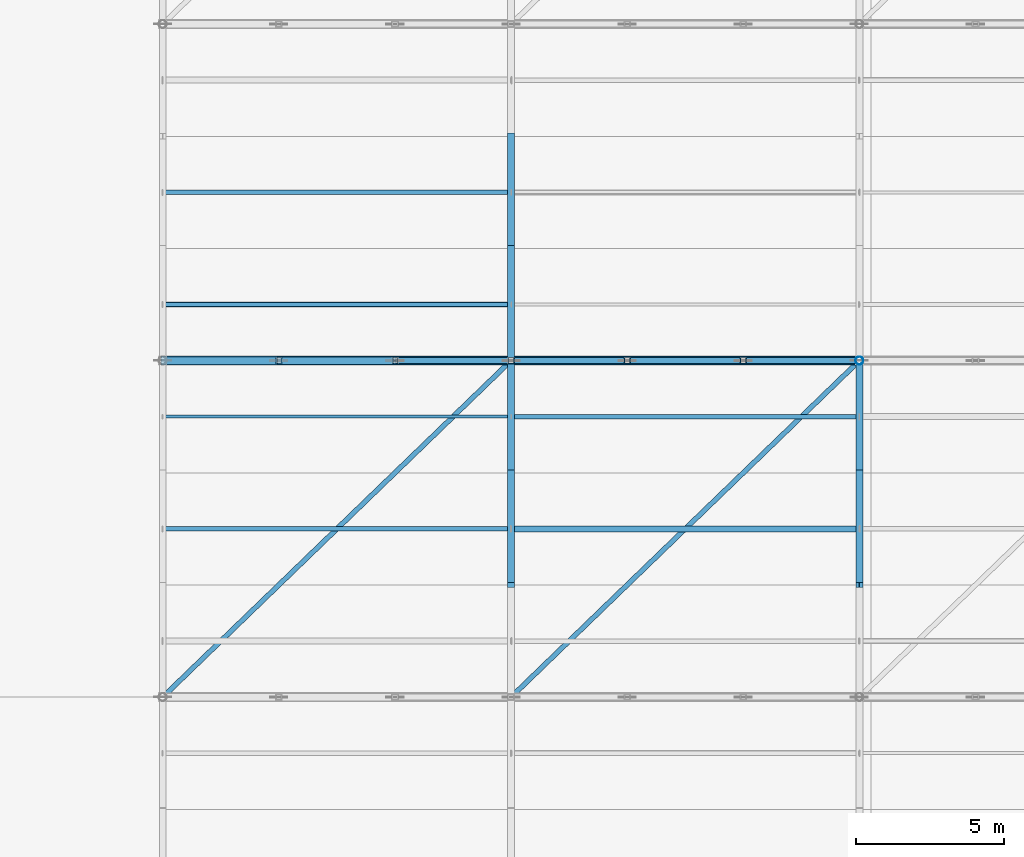
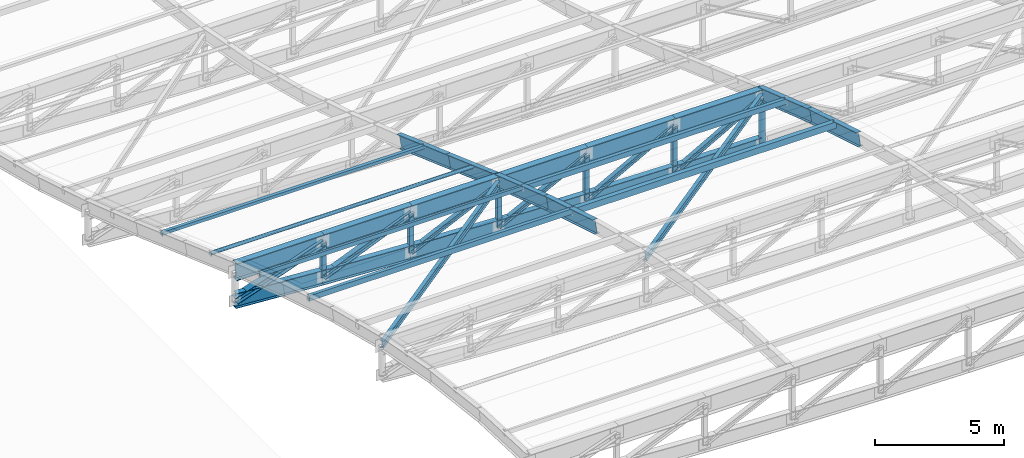
# One storey, part 9 of 65: 26 members, 12 beams.
"""IFC4 building model written with IfcOpenShell, lengths in metres."""

from ifc_helpers import new_model, si_unit, direction, frame, origin, origin_2d, place, context, subcontext, project, spatial, hollow_rectangle, hollow_circle, i_section, extrude, material, material_profile, profile_set, type_object, element, save


model = new_model("IFC4")

# Units and contexts
model_context = context("Model", 3, precision=1e-05, world=origin(), true_north=direction((0.0, 1.0)))
body_context = subcontext(model_context, "Body", "Model", "MODEL_VIEW")
ifc_project = project(units=[si_unit("LENGTHUNIT", "METRE"), si_unit("AREAUNIT", "SQUARE_METRE"), si_unit("VOLUMEUNIT", "CUBIC_METRE"), si_unit("PLANEANGLEUNIT", "RADIAN"), si_unit("MASSUNIT", "GRAM", prefix="KILO"), si_unit("POWERUNIT", "WATT"), si_unit("THERMODYNAMICTEMPERATUREUNIT", "KELVIN")], contexts=[model_context])

# Site, building, storey
site_placement = place(None, origin())
site = spatial("IfcSite", under=ifc_project, at=site_placement, CompositionType="ELEMENT")
building_placement = place(site_placement, origin())
building = spatial("IfcBuilding", under=site, at=building_placement, Name="Kelmbourne Parkland Aquatics Centre", CompositionType="ELEMENT")
storey_placement = place(building_placement, frame((0.0, 0.0, 27.0)))
storey = spatial("IfcBuildingStorey", under=building, at=storey_placement, Name="RF", CompositionType="ELEMENT", Elevation=27.0)

# Members
ifc_material_1 = material(Name="Structural steel AS/NZS 3679.1 Grade 300", Category="steel")
ifc_material_profile_1 = material_profile(ifc_material_1, i_section(OverallWidth=0.166015625, OverallDepth=0.306884765625, WebThickness=0.006591796875, FlangeThickness=0.01171875, at=origin_2d()), Name="310UB46.2")
ifc_profile_set_1 = profile_set([ifc_material_profile_1], Name="Structural steel AS/NZS 3679.1 Grade 300")
member_type_1 = type_object("IfcMemberType", Name="MB-BR-I", PredefinedType="BRACE", material=ifc_profile_set_1)
member_1_placement = place(storey_placement, frame((128.007080078125, 12.206787109375, -2.15283203125), z_axis=(0.704125965471, 0.680263716284, -0.203587575889), x_axis=(-0.694815416631, 0.719188109476, 0.0)))
element("IfcMember", 1, at=member_1_placement, inside=storey, type_object=member_type_1, Name="Roof wind diagonal brace B2-03", PredefinedType="BRACE", context=body_context, shape_type="SweptSolid", body=[
    extrude(i_section(OverallWidth=0.166015625, OverallDepth=0.306884765625, WebThickness=0.006591796875, FlangeThickness=0.01171875, at=origin_2d()), origin(), (0.0, 0.0, 1.0), 16.73828125),
])
member_2_placement = place(storey_placement, frame((139.806884765625, 12.206787109375, -2.15283203125), z_axis=(0.704133319578, 0.680256729882, -0.203585485017), x_axis=(-0.694807972231, 0.719195301517, 0.0)))
element("IfcMember", 2, at=member_2_placement, inside=storey, type_object=member_type_1, Name="Roof wind diagonal brace B2-36", PredefinedType="BRACE", context=body_context, shape_type="SweptSolid", body=[
    extrude(i_section(OverallWidth=0.166015625, OverallDepth=0.306884765625, WebThickness=0.006591796875, FlangeThickness=0.01171875, at=origin_2d()), origin(), (0.0, 0.0, 1.0), 16.738525390625),
])
ifc_material_profile_2 = material_profile(ifc_material_1, i_section(OverallWidth=0.306884765625, OverallDepth=0.31494140625, WebThickness=0.011962890625, FlangeThickness=0.018798828125, at=origin_2d()), Name="310UC118")
ifc_profile_set_2 = profile_set([ifc_material_profile_2], Name="Structural steel AS/NZS 3679.1 Grade 300")
member_type_2 = type_object("IfcMemberType", Name="MB-DIAG1", PredefinedType="STRUT", material=ifc_profile_set_2)
member_3_placement = place(storey_placement, frame((128.0, 23.60009765625, -6.942626953125), z_axis=(0.94359966112, 0.0, 0.331088627913), x_axis=(0.0, 1.0, 0.0)))
element("IfcMember", 3, at=member_3_placement, inside=storey, type_object=member_type_2, Name="Roof truss R02 web diagonal 1", PredefinedType="STRUT", context=body_context, shape_type="SweptSolid", body=[
    extrude(i_section(OverallWidth=0.306884765625, OverallDepth=0.31494140625, WebThickness=0.011962890625, FlangeThickness=0.018798828125, at=origin_2d()), origin(), (0.0, 0.0, 1.0), 4.16845703125),
])
ifc_material_profile_3 = material_profile(ifc_material_1, i_section(OverallWidth=0.256103515625, OverallDepth=0.260009765625, WebThickness=0.010498046875, FlangeThickness=0.017333984375, at=origin_2d()), Name="250UC89.5")
ifc_profile_set_3 = profile_set([ifc_material_profile_3], Name="Structural steel AS/NZS 3679.1 Grade 300")
member_type_3 = type_object("IfcMemberType", Name="MB-DIAG2", PredefinedType="STRUT", material=ifc_profile_set_3)
member_4_placement = place(storey_placement, frame((131.933349609375, 23.60009765625, -7.202392578125), z_axis=(0.922993848486, 0.0, 0.384814703015), x_axis=(0.0, 1.0, 0.0)))
element("IfcMember", 4, at=member_4_placement, inside=storey, type_object=member_type_3, Name="Roof truss R02 web diagonal 2", PredefinedType="STRUT", context=body_context, shape_type="SweptSolid", body=[
    extrude(i_section(OverallWidth=0.256103515625, OverallDepth=0.260009765625, WebThickness=0.010498046875, FlangeThickness=0.017333984375, at=origin_2d()), origin(), (0.0, 0.0, 1.0), 4.261474609375),
])
ifc_material_profile_4 = material_profile(ifc_material_1, i_section(OverallWidth=0.205078125, OverallDepth=0.2099609375, WebThickness=0.00927734375, FlangeThickness=0.01416015625, at=origin_2d()), Name="200UC59.5")
ifc_profile_set_4 = profile_set([ifc_material_profile_4], Name="Structural steel AS/NZS 3679.1 Grade 300")
member_type_4 = type_object("IfcMemberType", Name="MB-DIAG3", PredefinedType="STRUT", material=ifc_profile_set_4)
member_5_placement = place(storey_placement, frame((135.86669921875, 23.60009765625, -7.414794921875), z_axis=(0.904702860314, 0.0, 0.426043113475), x_axis=(0.0, 1.0, 0.0)))
element("IfcMember", 5, at=member_5_placement, inside=storey, type_object=member_type_4, Name="Roof truss R02 web diagonal 3", PredefinedType="STRUT", context=body_context, shape_type="SweptSolid", body=[
    extrude(i_section(OverallWidth=0.205078125, OverallDepth=0.2099609375, WebThickness=0.00927734375, FlangeThickness=0.01416015625, at=origin_2d()), origin(), (0.0, 0.0, 1.0), 4.34765625),
])
member_6_placement = place(storey_placement, frame((139.800048828125, 23.60009765625, -7.580078125), z_axis=(0.889773759549, 0.0, 0.456401858911), x_axis=(0.0, 1.0, 0.0)))
element("IfcMember", 6, at=member_6_placement, inside=storey, type_object=member_type_4, Name="Roof truss R02 web diagonal 4", PredefinedType="STRUT", context=body_context, shape_type="SweptSolid", body=[
    extrude(i_section(OverallWidth=0.205078125, OverallDepth=0.2099609375, WebThickness=0.00927734375, FlangeThickness=0.01416015625, at=origin_2d()), origin(), (0.0, 0.0, 1.0), 4.420654296875),
])
member_7_placement = place(storey_placement, frame((143.7333984375, 23.60009765625, -7.6982421875), z_axis=(0.87880703159, 0.0, 0.477177326817), x_axis=(0.0, 1.0, 0.0)))
element("IfcMember", 7, at=member_7_placement, inside=storey, type_object=member_type_4, Name="Roof truss R02 web diagonal 5", PredefinedType="STRUT", context=body_context, shape_type="SweptSolid", body=[
    extrude(i_section(OverallWidth=0.205078125, OverallDepth=0.2099609375, WebThickness=0.00927734375, FlangeThickness=0.01416015625, at=origin_2d()), origin(), (0.0, 0.0, 1.0), 4.475830078125),
])
member_8_placement = place(storey_placement, frame((147.666748046875, 23.60009765625, -7.76904296875), z_axis=(0.872140224212, 0.0, 0.489255995682), x_axis=(0.0, 1.0, 0.0)))
element("IfcMember", 8, at=member_8_placement, inside=storey, type_object=member_type_4, Name="Roof truss R02 web diagonal 6", PredefinedType="STRUT", context=body_context, shape_type="SweptSolid", body=[
    extrude(i_section(OverallWidth=0.205078125, OverallDepth=0.2099609375, WebThickness=0.00927734375, FlangeThickness=0.01416015625, at=origin_2d()), origin(), (0.0, 0.0, 1.0), 4.510009765625),
])
ifc_material_profile_5 = material_profile(ifc_material_1, i_section(OverallWidth=0.22900390625, OverallDepth=0.612060546875, WebThickness=0.011962890625, FlangeThickness=0.01953125, at=origin_2d()), Name="610UB125")
ifc_profile_set_5 = profile_set([ifc_material_profile_5], Name="Structural steel AS/NZS 3679.1 Grade 300")
member_type_5 = type_object("IfcMemberType", Name="MB-LRIB", PredefinedType="STRUT", material=ifc_profile_set_5)
member_9_placement = place(storey_placement, frame((139.800048828125, 16.0, -2.99658203125), z_axis=(0.0, 0.956659736605, -0.291208084294), x_axis=(-1.0, 0.0, 0.0)))
element("IfcMember", 9, at=member_9_placement, inside=storey, type_object=member_type_5, Name="Longitudinal wave rib K3 strip 05", PredefinedType="STRUT", context=body_context, shape_type="SweptSolid", body=[
    extrude(i_section(OverallWidth=0.22900390625, OverallDepth=0.612060546875, WebThickness=0.011962890625, FlangeThickness=0.01953125, at=origin_2d()), origin(), (0.0, 0.0, 1.0), 3.97216796875),
])
member_10_placement = place(storey_placement, frame((139.800048828125, 19.800048828125, -4.1533203125), z_axis=(0.0, 0.946978369756, -0.321297319029), x_axis=(-1.0, 0.0, 0.0)))
element("IfcMember", 10, at=member_10_placement, inside=storey, type_object=member_type_5, Name="Longitudinal wave rib K3 strip 06", PredefinedType="STRUT", context=body_context, shape_type="SweptSolid", body=[
    extrude(i_section(OverallWidth=0.22900390625, OverallDepth=0.612060546875, WebThickness=0.011962890625, FlangeThickness=0.01953125, at=origin_2d()), origin(), (0.0, 0.0, 1.0), 4.0126953125),
])
member_11_placement = place(storey_placement, frame((139.800048828125, 23.60009765625, -5.442626953125), z_axis=(0.0, 0.941714530219, -0.336413055), x_axis=(-1.0, 0.0, 0.0)))
element("IfcMember", 11, at=member_11_placement, inside=storey, type_object=member_type_5, Name="Longitudinal wave rib K3 strip 07", PredefinedType="STRUT", context=body_context, shape_type="SweptSolid", body=[
    extrude(i_section(OverallWidth=0.22900390625, OverallDepth=0.612060546875, WebThickness=0.011962890625, FlangeThickness=0.01953125, at=origin_2d()), origin(), (0.0, 0.0, 1.0), 4.034912109375),
])
member_12_placement = place(storey_placement, frame((139.800048828125, 27.39990234375, -6.800048828125), z_axis=(0.0, 0.941721377318, -0.336393887433), x_axis=(-1.0, 0.0, 0.0)))
element("IfcMember", 12, at=member_12_placement, inside=storey, type_object=member_type_5, Name="Longitudinal wave rib K3 strip 08", PredefinedType="STRUT", context=body_context, shape_type="SweptSolid", body=[
    extrude(i_section(OverallWidth=0.22900390625, OverallDepth=0.612060546875, WebThickness=0.011962890625, FlangeThickness=0.01953125, at=origin_2d()), origin(), (0.0, 0.0, 1.0), 4.03515625),
])
member_13_placement = place(storey_placement, frame((151.60009765625, 16.0, -2.99658203125), z_axis=(0.0, 0.956659736605, -0.291208084294), x_axis=(-1.0, 0.0, 0.0)))
element("IfcMember", 13, at=member_13_placement, inside=storey, type_object=member_type_5, Name="Longitudinal wave rib K6 strip 05", PredefinedType="STRUT", context=body_context, shape_type="SweptSolid", body=[
    extrude(i_section(OverallWidth=0.22900390625, OverallDepth=0.612060546875, WebThickness=0.011962890625, FlangeThickness=0.01953125, at=origin_2d()), origin(), (0.0, 0.0, 1.0), 3.97216796875),
])
member_14_placement = place(storey_placement, frame((151.60009765625, 19.800048828125, -4.1533203125), z_axis=(0.0, 0.946978369756, -0.321297319029), x_axis=(-1.0, 0.0, 0.0)))
element("IfcMember", 14, at=member_14_placement, inside=storey, type_object=member_type_5, Name="Longitudinal wave rib K6 strip 06", PredefinedType="STRUT", context=body_context, shape_type="SweptSolid", body=[
    extrude(i_section(OverallWidth=0.22900390625, OverallDepth=0.612060546875, WebThickness=0.011962890625, FlangeThickness=0.01953125, at=origin_2d()), origin(), (0.0, 0.0, 1.0), 4.0126953125),
])
ifc_material_2 = material(Name="Cold-formed hollow steel AS/NZS 1163 C350L0", Category="steel")
ifc_material_profile_6 = material_profile(ifc_material_2, hollow_rectangle(XDim=0.199951171875, YDim=0.199951171875, WallThickness=0.010009765625, at=origin_2d()), Name="SHS 200x200x10.0")
ifc_profile_set_6 = profile_set([ifc_material_profile_6], Name="Cold-formed hollow steel AS/NZS 1163 C350L0")
member_type_6 = type_object("IfcMemberType", Name="MB-POST1", PredefinedType="STRUT", material=ifc_profile_set_6)
member_15_placement = place(storey_placement, frame((131.933349609375, 23.60009765625, -7.202392578125), z_axis=(0.0, 0.0, 1.0), x_axis=(1.0, 0.0, 0.0)))
element("IfcMember", 15, at=member_15_placement, inside=storey, type_object=member_type_6, Name="Roof truss R02 vertical post 1", PredefinedType="STRUT", context=body_context, shape_type="SweptSolid", body=[
    extrude(hollow_rectangle(XDim=0.199951171875, YDim=0.199951171875, WallThickness=0.010009765625, at=origin_2d()), origin(), (0.0, 0.0, 1.0), 1.639892578125),
])
member_16_placement = place(storey_placement, frame((135.86669921875, 23.60009765625, -7.414794921875), z_axis=(0.0, 0.0, 1.0), x_axis=(1.0, 0.0, 0.0)))
element("IfcMember", 16, at=member_16_placement, inside=storey, type_object=member_type_6, Name="Roof truss R02 vertical post 2", PredefinedType="STRUT", context=body_context, shape_type="SweptSolid", body=[
    extrude(hollow_rectangle(XDim=0.199951171875, YDim=0.199951171875, WallThickness=0.010009765625, at=origin_2d()), origin(), (0.0, 0.0, 1.0), 1.852294921875),
])
member_17_placement = place(storey_placement, frame((139.800048828125, 23.60009765625, -7.580078125), z_axis=(0.0, 0.0, 1.0), x_axis=(1.0, 0.0, 0.0)))
element("IfcMember", 17, at=member_17_placement, inside=storey, type_object=member_type_6, Name="Roof truss R02 vertical post 3", PredefinedType="STRUT", context=body_context, shape_type="SweptSolid", body=[
    extrude(hollow_rectangle(XDim=0.199951171875, YDim=0.199951171875, WallThickness=0.010009765625, at=origin_2d()), origin(), (0.0, 0.0, 1.0), 2.017578125),
])
member_18_placement = place(storey_placement, frame((143.7333984375, 23.60009765625, -7.6982421875), z_axis=(0.0, 0.0, 1.0), x_axis=(1.0, 0.0, 0.0)))
element("IfcMember", 18, at=member_18_placement, inside=storey, type_object=member_type_6, Name="Roof truss R02 vertical post 4", PredefinedType="STRUT", context=body_context, shape_type="SweptSolid", body=[
    extrude(hollow_rectangle(XDim=0.199951171875, YDim=0.199951171875, WallThickness=0.010009765625, at=origin_2d()), origin(), (0.0, 0.0, 1.0), 2.1357421875),
])
member_19_placement = place(storey_placement, frame((147.666748046875, 23.60009765625, -7.76904296875), z_axis=(0.0, 0.0, 1.0), x_axis=(1.0, 0.0, 0.0)))
element("IfcMember", 19, at=member_19_placement, inside=storey, type_object=member_type_6, Name="Roof truss R02 vertical post 5", PredefinedType="STRUT", context=body_context, shape_type="SweptSolid", body=[
    extrude(hollow_rectangle(XDim=0.199951171875, YDim=0.199951171875, WallThickness=0.010009765625, at=origin_2d()), origin(), (0.0, 0.0, 1.0), 2.20654296875),
])
ifc_material_profile_7 = material_profile(ifc_material_2, hollow_circle(Radius=0.136474609375, WallThickness=0.00927734375, at=origin_2d()), Name="CHS 273.1x9.3")
ifc_profile_set_7 = profile_set([ifc_material_profile_7], Name="Cold-formed hollow steel AS/NZS 1163 C350L0")
member_type_7 = type_object("IfcMemberType", Name="MB-POST2", PredefinedType="STRUT", material=ifc_profile_set_7)
member_20_placement = place(storey_placement, frame((151.60009765625, 23.60009765625, -7.79248046875), z_axis=(0.0, 0.0, 1.0), x_axis=(1.0, 0.0, 0.0)))
element("IfcMember", 20, at=member_20_placement, inside=storey, type_object=member_type_7, Name="Roof truss R02 vertical post 6", PredefinedType="STRUT", context=body_context, shape_type="SweptSolid", body=[
    extrude(hollow_circle(Radius=0.136474609375, WallThickness=0.00927734375, at=origin_2d()), origin(), (0.0, 0.0, 1.0), 2.22998046875),
])
ifc_material_profile_8 = material_profile(ifc_material_2, hollow_rectangle(XDim=0.10009765625, YDim=0.199951171875, WallThickness=0.006103515625, at=origin_2d()), Name="RHS 200x100x6.0")
ifc_profile_set_8 = profile_set([ifc_material_profile_8], Name="Cold-formed hollow steel AS/NZS 1163 C350L0")
member_type_8 = type_object("IfcMemberType", Name="MB-PUR1", PredefinedType="PURLIN", material=ifc_profile_set_8)
member_21_placement = place(storey_placement, frame((128.0, 21.699951171875, -4.587890625), z_axis=(1.0, 0.0, 0.0), x_axis=(0.0, 1.0, 0.0)))
element("IfcMember", 21, at=member_21_placement, inside=storey, type_object=member_type_8, Name="Wave roof purlin S06-G1", PredefinedType="PURLIN", context=body_context, shape_type="SweptSolid", body=[
    extrude(hollow_rectangle(XDim=0.10009765625, YDim=0.199951171875, WallThickness=0.006103515625, at=origin_2d()), origin(), (0.0, 0.0, 1.0), 11.800048828125),
])
ifc_material_profile_9 = material_profile(ifc_material_2, hollow_rectangle(XDim=0.14990234375, YDim=0.25, WallThickness=0.009033203125, at=origin_2d()), Name="RHS 250x150x9.0")
ifc_profile_set_9 = profile_set([ifc_material_profile_9], Name="Cold-formed hollow steel AS/NZS 1163 C350L0")
member_type_9 = type_object("IfcMemberType", Name="MB-PUR2", PredefinedType="PURLIN", material=ifc_profile_set_9)
for number, where, z_axis, x_axis, name in (
    (22, (128.0, 17.89990234375, -3.389892578125), (1.0, 0.0, 0.0), (0.0, 1.0, 0.0), "Wave roof purlin S05-G1"),
    (23, (139.800048828125, 21.699951171875, -4.613037109375), (1.0, 0.0, 0.0), (0.0, 1.0, 0.0), "Wave roof purlin S06-G2"),
):
    element("IfcMember", number, at=place(storey_placement, frame(where, z_axis=z_axis, x_axis=x_axis)), inside=storey, type_object=member_type_9, Name=name, PredefinedType="PURLIN", context=body_context, shape_type="SweptSolid", body=[
        extrude(hollow_rectangle(XDim=0.14990234375, YDim=0.25, WallThickness=0.009033203125, at=origin_2d()), origin(), (0.0, 0.0, 1.0), 11.800048828125),
    ])
ifc_material_profile_10 = material_profile(ifc_material_2, hollow_rectangle(XDim=0.199951171875, YDim=0.300048828125, WallThickness=0.010009765625, at=origin_2d()), Name="RHS 300x200x10.0")
ifc_profile_set_10 = profile_set([ifc_material_profile_10], Name="Cold-formed hollow steel AS/NZS 1163 C350L0")
member_type_10 = type_object("IfcMemberType", Name="MB-PUR3", PredefinedType="PURLIN", material=ifc_profile_set_10)
member_22_placement = place(storey_placement, frame((139.800048828125, 17.89990234375, -3.4150390625), z_axis=(1.0, 0.0, 0.0), x_axis=(0.0, 1.0, 0.0)))
element("IfcMember", 24, at=member_22_placement, inside=storey, type_object=member_type_10, Name="Wave roof purlin S05-G2", PredefinedType="PURLIN", context=body_context, shape_type="SweptSolid", body=[
    extrude(hollow_rectangle(XDim=0.199951171875, YDim=0.300048828125, WallThickness=0.010009765625, at=origin_2d()), origin(), (0.0, 0.0, 1.0), 11.800048828125),
])
ifc_material_profile_11 = material_profile(ifc_material_2, hollow_rectangle(XDim=0.14990234375, YDim=0.14990234375, WallThickness=0.009033203125, at=origin_2d()), Name="SHS 150x150x9.0")
ifc_profile_set_11 = profile_set([ifc_material_profile_11], Name="Cold-formed hollow steel AS/NZS 1163 C350L0")
member_type_11 = type_object("IfcMemberType", Name="MB-PUR4", PredefinedType="PURLIN", material=ifc_profile_set_11)
member_23_placement = place(storey_placement, frame((128.0, 29.300048828125, -7.24365234375), z_axis=(1.0, 0.0, 0.0), x_axis=(0.0, 1.0, 0.0)))
element("IfcMember", 25, at=member_23_placement, inside=storey, type_object=member_type_11, Name="Wave roof purlin S08-G1", PredefinedType="PURLIN", context=body_context, shape_type="SweptSolid", body=[
    extrude(hollow_rectangle(XDim=0.14990234375, YDim=0.14990234375, WallThickness=0.009033203125, at=origin_2d()), origin(), (0.0, 0.0, 1.0), 11.800048828125),
])
ifc_material_profile_12 = material_profile(ifc_material_2, hollow_circle(Radius=0.084228515625, WallThickness=0.007080078125, at=origin_2d()), Name="CHS 168.3x7.1")
ifc_profile_set_12 = profile_set([ifc_material_profile_12], Name="Cold-formed hollow steel AS/NZS 1163 C350L0")
member_type_12 = type_object("IfcMemberType", Name="MB-PUR5", PredefinedType="PURLIN", material=ifc_profile_set_12)
member_24_placement = place(storey_placement, frame((128.0, 25.5, -5.8955078125), z_axis=(1.0, 0.0, 0.0), x_axis=(0.0, 1.0, 0.0)))
element("IfcMember", 26, at=member_24_placement, inside=storey, type_object=member_type_12, Name="Wave roof purlin S07-G1", PredefinedType="PURLIN", context=body_context, shape_type="SweptSolid", body=[
    extrude(hollow_circle(Radius=0.084228515625, WallThickness=0.007080078125, at=origin_2d()), origin(), (0.0, 0.0, 1.0), 11.800048828125),
])

# Beams
ifc_material_3 = material(Name="Welded plate steel AS/NZS 3678 Grade 350", Category="steel")
ifc_material_profile_13 = material_profile(ifc_material_3, i_section(OverallWidth=0.25, OverallDepth=0.699951171875, WebThickness=0.010009765625, FlangeThickness=0.02001953125, at=origin_2d()), Name="700WB130")
ifc_profile_set_13 = profile_set([ifc_material_profile_13], Name="Welded plate steel AS/NZS 3678 Grade 350")
beam_type_1 = type_object("IfcBeamType", Name="TR-BC2", PredefinedType="BEAM", material=ifc_profile_set_13)
beam_1_placement = place(storey_placement, frame((128.0, 23.60009765625, -6.942626953125), z_axis=(0.997826345785, 0.0, -0.065898282659), x_axis=(0.0, 1.0, 0.0)))
element("IfcBeam", 27, at=beam_1_placement, inside=storey, type_object=beam_type_1, Name="Roof truss R02 bottom chord 1", PredefinedType="BEAM", context=body_context, shape_type="SweptSolid", body=[
    extrude(i_section(OverallWidth=0.25, OverallDepth=0.699951171875, WebThickness=0.010009765625, FlangeThickness=0.02001953125, at=origin_2d()), origin(), (0.0, 0.0, 1.0), 3.94189453125),
])
beam_2_placement = place(storey_placement, frame((131.933349609375, 23.60009765625, -7.202392578125), z_axis=(0.998545160894, 0.0, -0.053921810563), x_axis=(0.0, 1.0, 0.0)))
element("IfcBeam", 28, at=beam_2_placement, inside=storey, type_object=beam_type_1, Name="Roof truss R02 bottom chord 2", PredefinedType="BEAM", context=body_context, shape_type="SweptSolid", body=[
    extrude(i_section(OverallWidth=0.25, OverallDepth=0.699951171875, WebThickness=0.010009765625, FlangeThickness=0.02001953125, at=origin_2d()), origin(), (0.0, 0.0, 1.0), 3.93896484375),
])
beam_3_placement = place(storey_placement, frame((135.86669921875, 23.60009765625, -7.414794921875), z_axis=(0.999118286144, 0.0, -0.041983928975), x_axis=(0.0, 1.0, 0.0)))
element("IfcBeam", 29, at=beam_3_placement, inside=storey, type_object=beam_type_1, Name="Roof truss R02 bottom chord 3", PredefinedType="BEAM", context=body_context, shape_type="SweptSolid", body=[
    extrude(i_section(OverallWidth=0.25, OverallDepth=0.699951171875, WebThickness=0.010009765625, FlangeThickness=0.02001953125, at=origin_2d()), origin(), (0.0, 0.0, 1.0), 3.936767578125),
])
beam_4_placement = place(storey_placement, frame((139.800048828125, 23.60009765625, -7.580078125), z_axis=(0.999549056749, 0.0, -0.030028039443), x_axis=(0.0, 1.0, 0.0)))
element("IfcBeam", 30, at=beam_4_placement, inside=storey, type_object=beam_type_1, Name="Roof truss R02 bottom chord 4", PredefinedType="BEAM", context=body_context, shape_type="SweptSolid", body=[
    extrude(i_section(OverallWidth=0.25, OverallDepth=0.699951171875, WebThickness=0.010009765625, FlangeThickness=0.02001953125, at=origin_2d()), origin(), (0.0, 0.0, 1.0), 3.93505859375),
])
beam_5_placement = place(storey_placement, frame((143.7333984375, 23.60009765625, -7.6982421875), z_axis=(0.999838037122, 0.0, -0.017997208787), x_axis=(0.0, 1.0, 0.0)))
element("IfcBeam", 31, at=beam_5_placement, inside=storey, type_object=beam_type_1, Name="Roof truss R02 bottom chord 5", PredefinedType="BEAM", context=body_context, shape_type="SweptSolid", body=[
    extrude(i_section(OverallWidth=0.25, OverallDepth=0.699951171875, WebThickness=0.010009765625, FlangeThickness=0.02001953125, at=origin_2d()), origin(), (0.0, 0.0, 1.0), 3.93408203125),
])
beam_6_placement = place(storey_placement, frame((147.666748046875, 23.60009765625, -7.76904296875), z_axis=(0.999982247648, 0.0, -0.005958556004), x_axis=(0.0, 1.0, 0.0)))
element("IfcBeam", 32, at=beam_6_placement, inside=storey, type_object=beam_type_1, Name="Roof truss R02 bottom chord 6", PredefinedType="BEAM", context=body_context, shape_type="SweptSolid", body=[
    extrude(i_section(OverallWidth=0.25, OverallDepth=0.699951171875, WebThickness=0.010009765625, FlangeThickness=0.02001953125, at=origin_2d()), origin(), (0.0, 0.0, 1.0), 3.933349609375),
])
ifc_material_profile_14 = material_profile(ifc_material_3, i_section(OverallWidth=0.300048828125, OverallDepth=0.81591796875, WebThickness=0.011962890625, FlangeThickness=0.028076171875, at=origin_2d()), Name="800WB192")
ifc_profile_set_14 = profile_set([ifc_material_profile_14], Name="Welded plate steel AS/NZS 3678 Grade 350")
beam_type_2 = type_object("IfcBeamType", Name="TR-TC2", PredefinedType="BEAM", material=ifc_profile_set_14)
for number, where, z_axis, x_axis, name in (
    (33, (128.0, 23.60009765625, -5.5625), (1.0, 0.0, 0.0), (0.0, 1.0, 0.0), "Roof truss R02 top chord 1"),
    (34, (131.933349609375, 23.60009765625, -5.5625), (1.0, 0.0, 0.0), (0.0, 1.0, 0.0), "Roof truss R02 top chord 2"),
    (35, (135.86669921875, 23.60009765625, -5.5625), (1.0, 0.0, 0.0), (0.0, 1.0, 0.0), "Roof truss R02 top chord 3"),
    (36, (139.800048828125, 23.60009765625, -5.5625), (1.0, 0.0, 0.0), (0.0, 1.0, 0.0), "Roof truss R02 top chord 4"),
    (37, (143.7333984375, 23.60009765625, -5.5625), (1.0, 0.0, 0.0), (0.0, 1.0, 0.0), "Roof truss R02 top chord 5"),
    (38, (147.666748046875, 23.60009765625, -5.5625), (1.0, 0.0, 0.0), (0.0, 1.0, 0.0), "Roof truss R02 top chord 6"),
):
    element("IfcBeam", number, at=place(storey_placement, frame(where, z_axis=z_axis, x_axis=x_axis)), inside=storey, type_object=beam_type_2, Name=name, PredefinedType="BEAM", context=body_context, shape_type="SweptSolid", body=[
        extrude(i_section(OverallWidth=0.300048828125, OverallDepth=0.81591796875, WebThickness=0.011962890625, FlangeThickness=0.028076171875, at=origin_2d()), origin(), (0.0, 0.0, 1.0), 3.933349609375),
    ])

save(model, "model.ifc")
